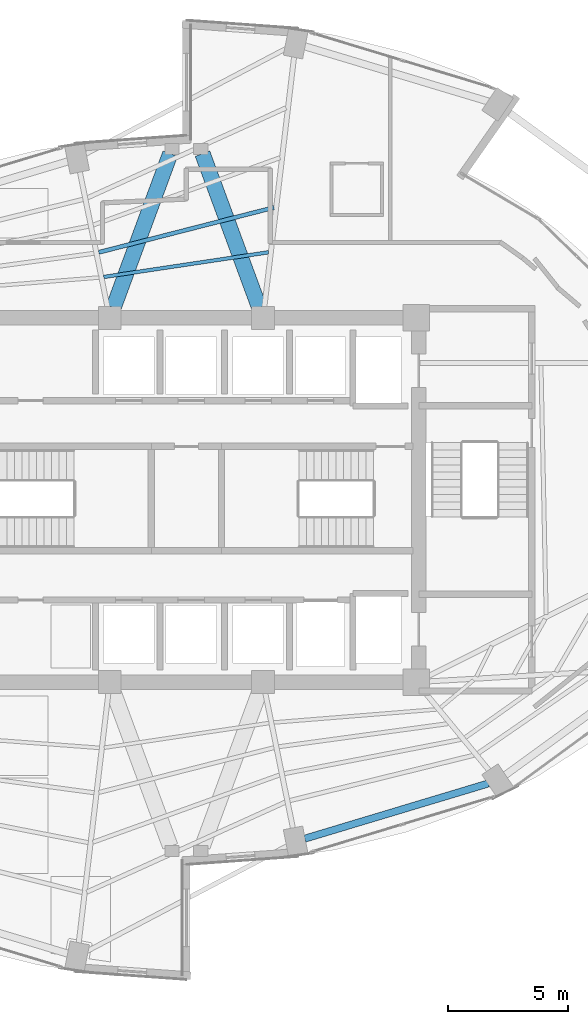
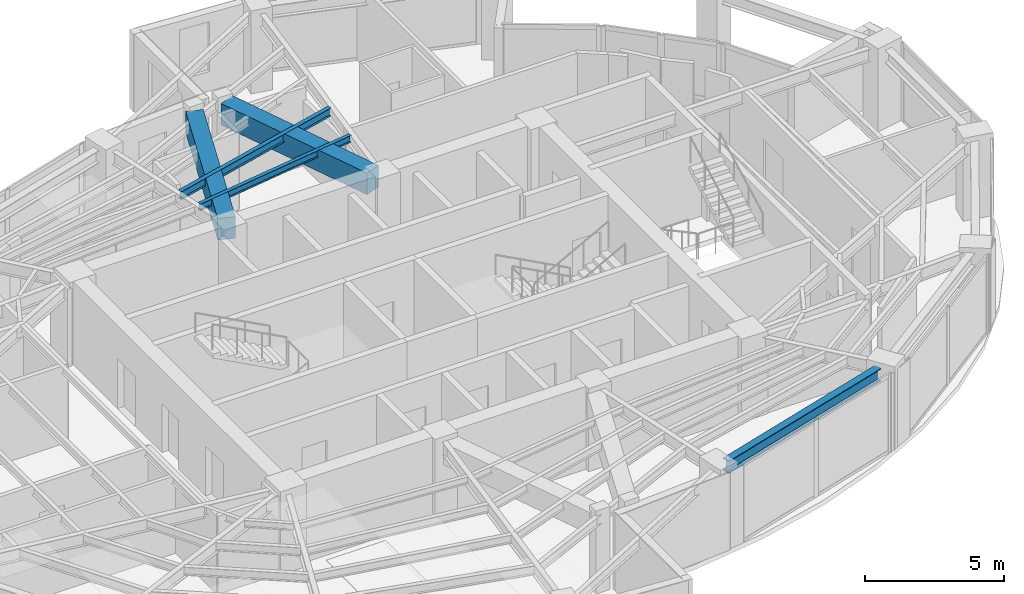
# One storey, part 8 of 19: 5 beams.
"""IFC4 building model written with IfcOpenShell, lengths in metres."""

from ifc_helpers import new_model, si_unit, direction, frame, origin, origin_2d, place, context, subcontext, project, spatial, rectangle, i_section, extrude, material, material_profile, profile_set, type_object, element, save


model = new_model("IFC4")

# Units and contexts
model_context = context("Model", 3, precision=1e-05, world=origin(), true_north=direction((0.0, 1.0)))
body_context = subcontext(model_context, "Body", "Model", "MODEL_VIEW")
ifc_project = project(units=[si_unit("LENGTHUNIT", "METRE"), si_unit("AREAUNIT", "SQUARE_METRE"), si_unit("VOLUMEUNIT", "CUBIC_METRE"), si_unit("PLANEANGLEUNIT", "RADIAN"), si_unit("MASSUNIT", "GRAM", prefix="KILO")], contexts=[model_context])

# Site, building, storey
site_placement = place(None, origin())
site = spatial("IfcSite", under=ifc_project, at=site_placement, CompositionType="ELEMENT")
building_placement = place(site_placement, origin())
building = spatial("IfcBuilding", under=site, at=building_placement, Name="Lazwardi Medical Tower", CompositionType="ELEMENT")
storey_placement = place(building_placement, frame((0.0, 0.0, 167.471923828125)))
storey = spatial("IfcBuildingStorey", under=building, at=storey_placement, Name="L43", CompositionType="ELEMENT", Elevation=167.471923828125)

# Beams
ifc_material_1 = material(Name="Concrete C60/75", Category="concrete")
ifc_material_profile_1 = material_profile(ifc_material_1, rectangle(XDim=0.64990234375, YDim=0.949951171875, at=origin_2d()), Name="RC 650x950")
ifc_profile_set_1 = profile_set([ifc_material_profile_1], Name="Concrete C60/75")
beam_type_1 = type_object("IfcBeamType", Name="BM-CB-RC2", PredefinedType="LINTEL", material=ifc_profile_set_1)
for number, where, z_axis, x_axis, name in (
    (1, (32.959228515625, 36.031494140625, 2.953125), (0.34601281054, 0.938229787921, 0.0), (-0.938229787921, 0.34601281054, 0.0), "Core coupling lintel CB-02 PL1 L43"),
    (2, (39.040771484375, 36.031494140625, 2.953125), (-0.34601281054, 0.938229787921, 0.0), (-0.938229787921, -0.34601281054, 0.0), "Core coupling lintel CB-02 PL2 L43"),
):
    element("IfcBeam", number, at=place(storey_placement, frame(where, z_axis=z_axis, x_axis=x_axis)), inside=storey, type_object=beam_type_1, Name=name, PredefinedType="LINTEL", context=body_context, shape_type="SweptSolid", body=[
        extrude(rectangle(XDim=0.64990234375, YDim=0.949951171875, at=origin_2d()), origin(), (0.0, 0.0, 1.0), 6.84423828125),
    ])
ifc_material_2 = material(Name="Steel S355", Category="steel")
ifc_material_profile_2 = material_profile(ifc_material_2, i_section(OverallWidth=0.300048828125, OverallDepth=0.550048828125, WebThickness=0.014892578125, FlangeThickness=0.029052734375, at=origin_2d()), Name="HEB 550")
ifc_profile_set_2 = profile_set([ifc_material_profile_2], Name="Steel S355")
beam_type_2 = type_object("IfcBeamType", Name="BM-RB-Z3", PredefinedType="BEAM", material=ifc_profile_set_2)
beam_1_placement = place(storey_placement, frame((40.943115234375, 13.866455078125, 3.153076171875), z_axis=(0.957616873483, 0.288045002771, 0.0), x_axis=(-0.288045002771, 0.957616873483, 0.0)))
element("IfcBeam", 3, at=beam_1_placement, inside=storey, type_object=beam_type_2, Name="Ring beam RB-04 B01 L43", PredefinedType="BEAM", context=body_context, shape_type="SweptSolid", body=[
    extrude(i_section(OverallWidth=0.300048828125, OverallDepth=0.550048828125, WebThickness=0.014892578125, FlangeThickness=0.029052734375, at=origin_2d()), origin(), (0.0, 0.0, 1.0), 7.99951171875),
])
ifc_material_profile_3 = material_profile(ifc_material_2, i_section(OverallWidth=0.169921875, OverallDepth=0.360107421875, WebThickness=0.008056640625, FlangeThickness=0.0126953125, at=origin_2d()), Name="IPE 360")
ifc_profile_set_3 = profile_set([ifc_material_profile_3], Name="Steel S355")
beam_type_3 = type_object("IfcBeamType", Name="BM-SJ-02", PredefinedType="JOIST", material=ifc_profile_set_3)
beam_2_placement = place(storey_placement, frame((39.6533203125, 40.206298828125, 3.248046875), z_axis=(-0.96877632572, -0.247936344097, 0.0), x_axis=(0.247936344097, -0.96877632572, 0.0)))
element("IfcBeam", 4, at=beam_2_placement, inside=storey, type_object=beam_type_3, Name="Secondary joist SJ-02 R3 B08 L43", PredefinedType="JOIST", context=body_context, shape_type="SweptSolid", body=[
    extrude(i_section(OverallWidth=0.169921875, OverallDepth=0.360107421875, WebThickness=0.008056640625, FlangeThickness=0.0126953125, at=origin_2d()), origin(), (0.0, 0.0, 1.0), 7.546630859375),
])
ifc_material_profile_4 = material_profile(ifc_material_2, i_section(OverallWidth=0.14990234375, OverallDepth=0.300048828125, WebThickness=0.007080078125, FlangeThickness=0.0107421875, at=origin_2d()), Name="IPE 300")
ifc_profile_set_4 = profile_set([ifc_material_profile_4], Name="Steel S355")
beam_type_4 = type_object("IfcBeamType", Name="BM-SJ-03", PredefinedType="JOIST", material=ifc_profile_set_4)
beam_3_placement = place(storey_placement, frame((39.42822265625, 38.337890625, 3.278076171875), z_axis=(-0.98897469849, -0.148084589835, 0.0), x_axis=(0.148084589835, -0.98897469849, 0.0)))
element("IfcBeam", 5, at=beam_3_placement, inside=storey, type_object=beam_type_4, Name="Secondary joist SJ-03 R4 B08 L43", PredefinedType="JOIST", context=body_context, shape_type="SweptSolid", body=[
    extrude(i_section(OverallWidth=0.14990234375, OverallDepth=0.300048828125, WebThickness=0.007080078125, FlangeThickness=0.0107421875, at=origin_2d()), origin(), (0.0, 0.0, 1.0), 6.952392578125),
])

save(model, "model.ifc")
